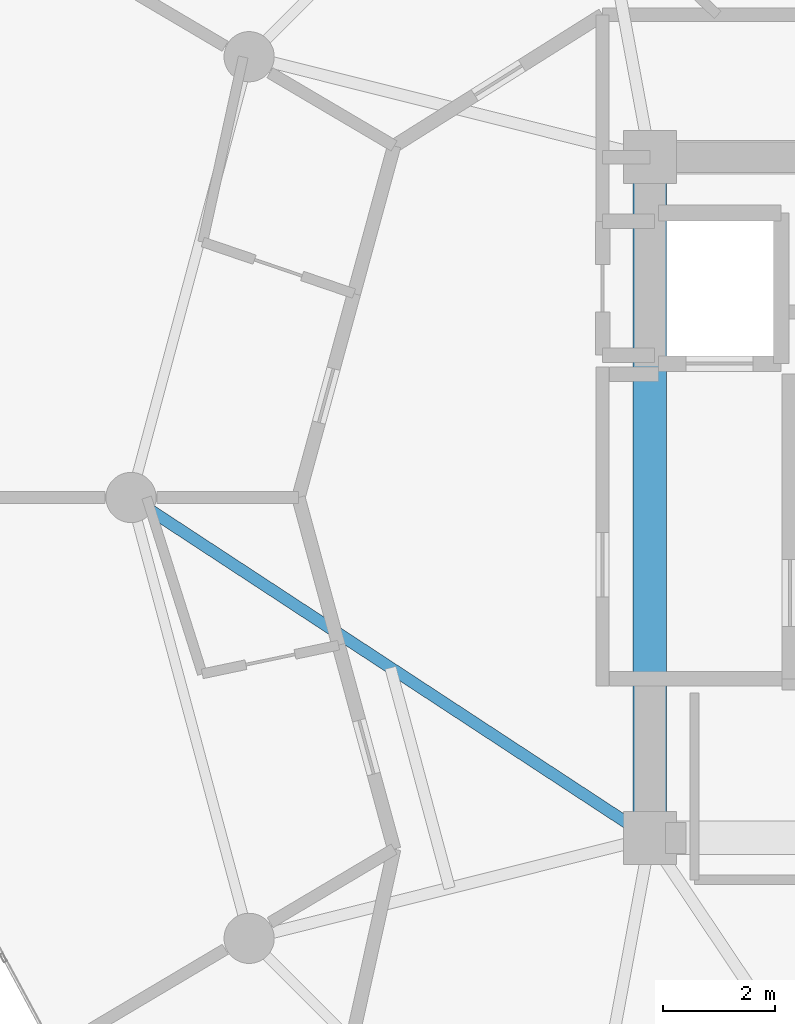
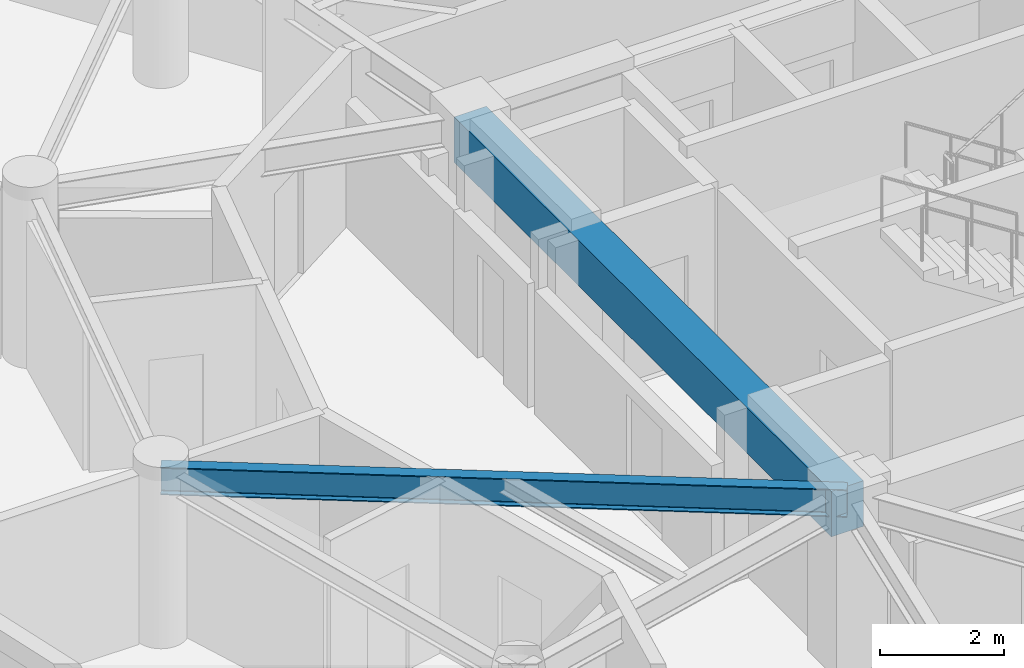
# One storey, part 8 of 23: 2 beams.
"""IFC4 building model written with IfcOpenShell, lengths in metres."""

from ifc_helpers import new_model, si_unit, direction, frame, origin, origin_2d, place, context, subcontext, project, spatial, rectangle, i_section, extrude, material, material_profile, profile_set, type_object, element, save


model = new_model("IFC4")

# Units and contexts
model_context = context("Model", 3, precision=1e-05, world=origin(), true_north=direction((0.0, 1.0)))
body_context = subcontext(model_context, "Body", "Model", "MODEL_VIEW")
ifc_project = project(units=[si_unit("LENGTHUNIT", "METRE"), si_unit("AREAUNIT", "SQUARE_METRE"), si_unit("VOLUMEUNIT", "CUBIC_METRE"), si_unit("PLANEANGLEUNIT", "RADIAN"), si_unit("MASSUNIT", "GRAM", prefix="KILO")], contexts=[model_context])

# Site, building, storey
site_placement = place(None, origin())
site = spatial("IfcSite", under=ifc_project, at=site_placement, CompositionType="ELEMENT")
building_placement = place(site_placement, origin())
building = spatial("IfcBuilding", under=site, at=building_placement, Name="Solvirekh Grand Hotel", CompositionType="ELEMENT")
storey_placement = place(building_placement, frame((0.0, 0.0, 173.199951171875)))
storey = spatial("IfcBuildingStorey", under=building, at=storey_placement, Name="L44", CompositionType="ELEMENT", Elevation=173.199951171875)

# Beams
ifc_material_1 = material(Name="Concrete C50/60", Category="concrete")
ifc_material_profile_1 = material_profile(ifc_material_1, rectangle(XDim=0.60009765625, YDim=0.89990234375, at=origin_2d()), Name="RC BEAM 600X900")
ifc_profile_set_1 = profile_set([ifc_material_profile_1], Name="Concrete C50/60")
beam_type_1 = type_object("IfcBeamType", Name="Beam_Core_RC900", PredefinedType="BEAM", material=ifc_profile_set_1)
beam_1_placement = place(storey_placement, frame((-6.5, 6.10009765625, 2.91015625), z_axis=(0.0, -1.0, 0.0), x_axis=(1.0, 0.0, 0.0)))
element("IfcBeam", 1, at=beam_1_placement, inside=storey, type_object=beam_type_1, Name="L44 core coupling ring beam 4", PredefinedType="BEAM", context=body_context, shape_type="SweptSolid", body=[
    extrude(rectangle(XDim=0.60009765625, YDim=0.89990234375, at=origin_2d()), origin(), (0.0, 0.0, 1.0), 12.2001953125),
])
ifc_material_2 = material(Name="Steel S355", Category="steel")
ifc_material_profile_2 = material_profile(ifc_material_2, i_section(OverallWidth=0.2119140625, OverallDepth=0.5439453125, WebThickness=0.011962890625, FlangeThickness=0.01904296875, FilletRadius=0.013916015625, at=origin_2d()), Name="W530X123")
ifc_profile_set_2 = profile_set([ifc_material_profile_2], Name="Steel S355")
beam_type_2 = type_object("IfcBeamType", Name="Beam_Radial_W530H", PredefinedType="BEAM", material=ifc_profile_set_2)
beam_2_placement = place(storey_placement, frame((-6.5, -6.10009765625, 3.088134765625), z_axis=(-0.836174064962, 0.548464158432, 0.0), x_axis=(-0.548464158432, -0.836174064962, 0.0)))
element("IfcBeam", 2, at=beam_2_placement, inside=storey, type_object=beam_type_2, Name="L44 radial floor beam R07", PredefinedType="BEAM", context=body_context, shape_type="SweptSolid", body=[
    extrude(i_section(OverallWidth=0.2119140625, OverallDepth=0.5439453125, WebThickness=0.011962890625, FlangeThickness=0.01904296875, FilletRadius=0.013916015625, at=origin_2d()), origin(), (0.0, 0.0, 1.0), 11.1220703125),
])

save(model, "model.ifc")
